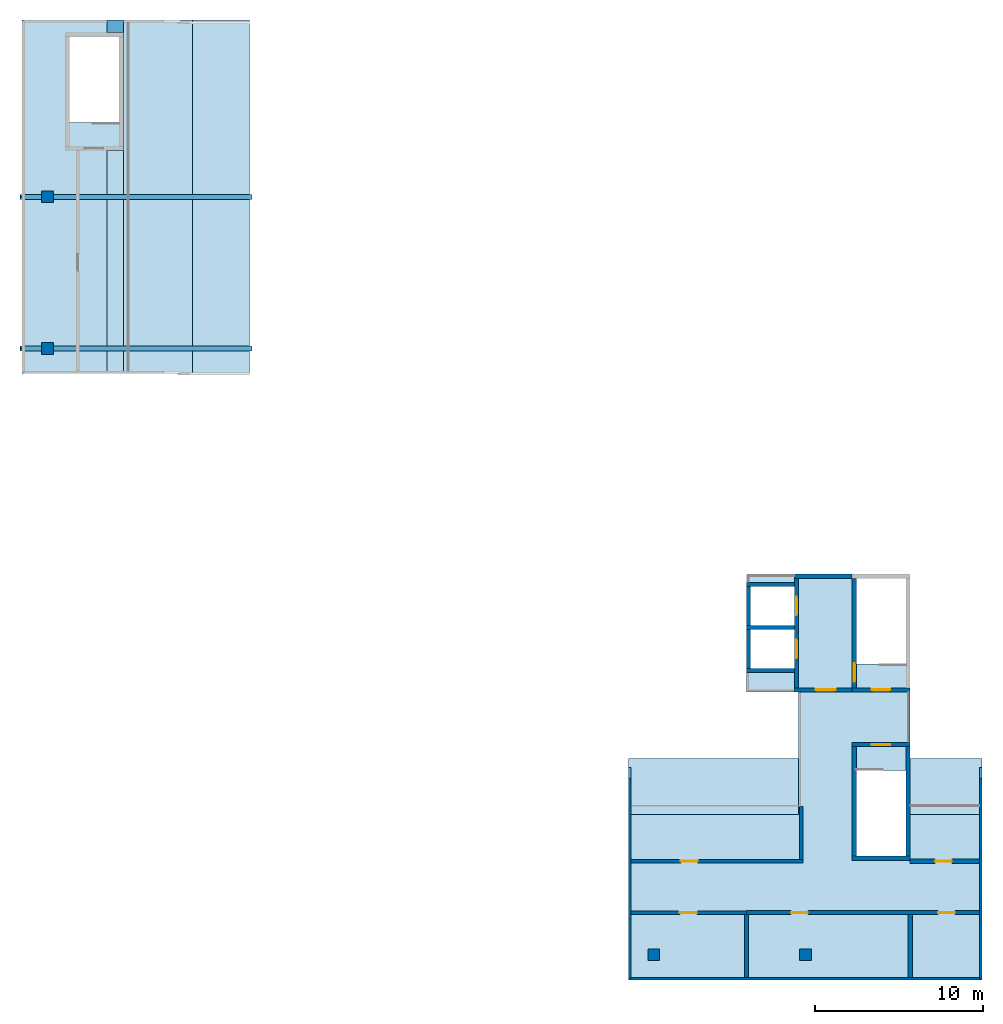
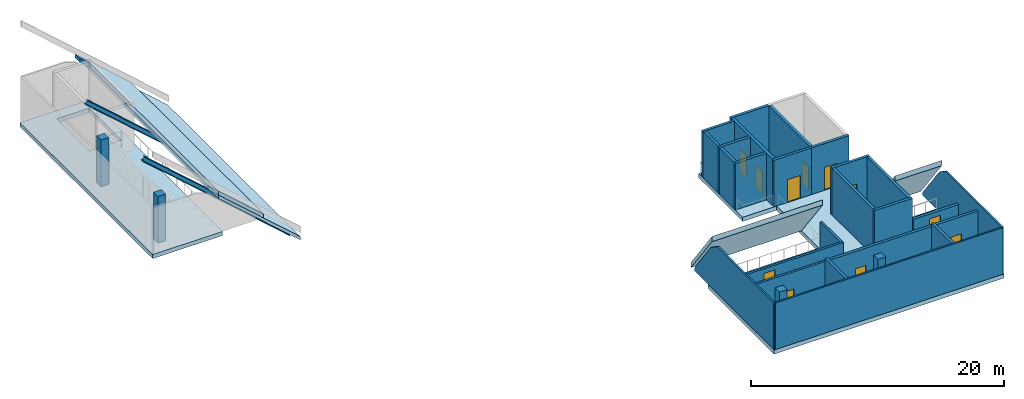
# One storey, part 1 of 3: 24 walls, 11 doors, 8 slabs, 4 columns, 2 beams, 11 openings.
"""IFC4 building model written with IfcOpenShell, lengths in metres."""

from ifc_helpers import new_model, si_unit, direction, frame, frame_2d, origin, origin_2d, place, context, subcontext, project, spatial, polyline, rectangle, i_section, outline, extrude, material, layer, layer_set, material_profile, profile_set, type_object, element, fill, save


model = new_model("IFC4")

# Units and contexts
model_context = context("Model", 3, precision=1e-05, world=origin(), true_north=direction((0.0, 1.0)))
body_context = subcontext(model_context, "Body", "Model", "MODEL_VIEW")
ifc_project = project(units=[si_unit("LENGTHUNIT", "METRE"), si_unit("AREAUNIT", "SQUARE_METRE"), si_unit("VOLUMEUNIT", "CUBIC_METRE"), si_unit("PLANEANGLEUNIT", "RADIAN"), si_unit("MASSUNIT", "GRAM", prefix="KILO")], contexts=[model_context])

# Site, building, storey
site_placement = place(None, origin())
site = spatial("IfcSite", under=ifc_project, at=site_placement, CompositionType="ELEMENT")
building_placement = place(site_placement, origin())
building = spatial("IfcBuilding", under=site, at=building_placement, Name="Chenar Terraces", CompositionType="ELEMENT")
storey_placement = place(building_placement, frame((0.0, 0.0, 393.39990234375)))
storey = spatial("IfcBuildingStorey", under=building, at=storey_placement, Name="L92", CompositionType="ELEMENT", Elevation=393.39990234375)

# Columns
ifc_material_1 = material(Name="Concrete C40/50", Category="concrete")
ifc_material_profile_1 = material_profile(ifc_material_1, rectangle(XDim=0.699951171875, YDim=0.699951171875, at=origin_2d()), Name="C 700 x 700")
ifc_profile_set_1 = profile_set([ifc_material_profile_1], Name="Concrete C40/50")
column_type = type_object("IfcColumnType", Name="Column C 700 x 700 Concrete C40/50", PredefinedType="COLUMN", material=ifc_profile_set_1)
for number, where, z_axis, x_axis, name in (
    (1, (36.0, 0.0, 0.0), (0.0, 0.0, 1.0), (1.0, 0.0, 0.0), "Column 8/E L92"),
    (2, (45.0, 0.0, 0.0), (0.0, 0.0, 1.0), (1.0, 0.0, 0.0), "Column 9/E L92"),
    (3, (0.0, 36.0, 0.0), (0.0, 0.0, 1.0), (1.0, 0.0, 0.0), "Column 5/H L92"),
    (4, (0.0, 45.0, 0.0), (0.0, 0.0, 1.0), (1.0, 0.0, 0.0), "Column 5/J L92"),
):
    element("IfcColumn", number, at=place(storey_placement, frame(where, z_axis=z_axis, x_axis=x_axis)), inside=storey, type_object=column_type, Name=name, PredefinedType="COLUMN", context=body_context, shape_type="SweptSolid", body=[
        extrude(rectangle(XDim=0.699951171875, YDim=0.699951171875, at=origin_2d()), origin(), (0.0, 0.0, 1.0), 4.5),
    ])

# Beams
ifc_material_2 = material(Name="Structural steel S355", Category="steel")
ifc_material_profile_2 = material_profile(ifc_material_2, i_section(OverallWidth=0.300048828125, OverallDepth=0.39990234375, WebThickness=0.013427734375, FlangeThickness=0.02392578125, FilletRadius=0.027099609375, at=origin_2d()), Name="HEB 400")
ifc_profile_set_2 = profile_set([ifc_material_profile_2], Name="Structural steel S355")
beam_type = type_object("IfcBeamType", Name="Peak roof rafter HEB 400 S355", PredefinedType="BEAM", material=ifc_profile_set_2)
for number, where, z_axis, x_axis, name in (
    (5, (12.0, 36.0, -3.597412109375), (-0.7484367174, 0.0, 0.66320621231), (0.0, -1.0, 0.0), "Peak roof rafter B1 part 2"),
    (6, (12.0, 45.0, -3.597412109375), (-0.7484367174, 0.0, 0.66320621231), (0.0, -1.0, 0.0), "Peak roof rafter B2 part 2"),
):
    element("IfcBeam", number, at=place(storey_placement, frame(where, z_axis=z_axis, x_axis=x_axis)), inside=storey, type_object=beam_type, Name=name, PredefinedType="BEAM", context=body_context, shape_type="SweptSolid", body=[
        extrude(i_section(OverallWidth=0.300048828125, OverallDepth=0.39990234375, WebThickness=0.013427734375, FlangeThickness=0.02392578125, FilletRadius=0.027099609375, at=origin_2d()), origin(), (0.0, 0.0, 1.0), 18.03759765625),
    ])

# Slabs
ifc_material_3 = material(Name="Concrete C40/50", Category="concrete")
ifc_layer_1 = layer(ifc_material_3, 0.39990234375)
ifc_layer_set_1 = layer_set([ifc_layer_1], Name="Concrete C40/50")
slab_type_1 = type_object("IfcSlabType", Name="Floor slab 400 Concrete C40/50", PredefinedType="FLOOR", material=ifc_layer_set_1)
placement = place(storey_placement, frame((0.0, 0.0, -0.39990234375)))
element("IfcSlab", 7, at=placement, inside=storey, type_object=slab_type_1, Name="Floor slab L92", PredefinedType="FLOOR", context=body_context, shape_type="SweptSolid", body=[
    extrude(outline(polyline([(34.5, -1.5), (34.5, 8.949951171875), (44.60009765625, 8.949951171875), (44.60009765625, 15.60009765625), (41.5, 15.60009765625), (41.5, 22.60009765625), (47.77490234375, 22.60009765625), (51.22509765625, 22.60009765625), (51.22509765625, 15.60009765625), (51.22509765625, 12.60009765625), (51.22509765625, 8.949951171875), (55.5, 8.949951171875), (55.5, -1.5), (34.5, -1.5)]), holes=[polyline([(50.97509765625, 10.949951171875), (48.02490234375, 10.949951171875), (48.02490234375, 5.85009765625), (50.97509765625, 5.85009765625), (50.97509765625, 10.949951171875)]), polyline([(41.75, 17.0), (44.35009765625, 17.0), (44.35009765625, 19.300048828125), (41.75, 19.300048828125), (41.75, 17.0)]), polyline([(48.02490234375, 17.25), (50.97509765625, 17.25), (50.97509765625, 22.35009765625), (48.02490234375, 22.35009765625), (48.02490234375, 17.25)]), polyline([(41.75, 21.85009765625), (41.75, 19.550048828125), (44.35009765625, 19.550048828125), (44.35009765625, 21.85009765625), (41.75, 21.85009765625)])]), origin(), (0.0, 0.0, 1.0), 0.39990234375),
])
element("IfcSlab", 8, at=placement, inside=storey, type_object=slab_type_1, Name="Floor slab L92 part 2", PredefinedType="FLOOR", context=body_context, shape_type="SweptSolid", body=[
    extrude(outline(polyline([(4.89990234375, 55.5), (4.89990234375, 34.5), (-1.5, 34.5), (-1.5, 55.5), (4.89990234375, 55.5)]), holes=[polyline([(1.300048828125, 54.5), (1.300048828125, 49.39990234375), (4.25, 49.39990234375), (4.25, 54.5), (1.300048828125, 54.5)])]), origin(), (0.0, 0.0, 1.0), 0.39990234375),
])
ifc_material_4 = material(Name="Concrete C40/50", Category="concrete")
ifc_layer_2 = layer(ifc_material_4, 0.25)
ifc_layer_set_2 = layer_set([ifc_layer_2], Name="Concrete C40/50")
slab_type_2 = type_object("IfcSlabType", Name="Roof deck 250 Concrete C40/50", PredefinedType="ROOF", material=ifc_layer_set_2)
slab_3_placement = place(storey_placement, frame((4.5, 34.5, 3.64990234375), z_axis=(0.663210761345, 0.0, 0.748432686376), x_axis=(0.748432686376, 0.0, -0.663210761345)))
element("IfcSlab", 9, at=slab_3_placement, inside=storey, type_object=slab_type_2, Name="Roof deck peak B facet 2", PredefinedType="ROOF", context=body_context, shape_type="SweptSolid", body=[
    extrude(outline(polyline([(0.0, 0.0), (10.020941277052783, 0.0), (10.020941277052783, 21.0), (0.0, 21.0), (0.0, 20.25), (0.0, 13.25), (0.0, 0.0)])), origin(), (0.663210761345, 0.0, -0.748432686376), 0.333984375),
])
ifc_material_5 = material(Name="Terracotta roof tile on insulated deck", Category="masonry")
ifc_layer_3 = layer(ifc_material_5, 0.300048828125)
ifc_layer_set_3 = layer_set([ifc_layer_3], Name="Terracotta roof tile on insulated deck")
slab_type_3 = type_object("IfcSlabType", Name="Terracotta roof tile 300", PredefinedType="ROOF", material=ifc_layer_set_3)
slab_4_placement = place(storey_placement, frame((34.5, 11.6513671875, 0.506103515625), z_axis=(0.0, 0.805316024446, 0.592845764741), x_axis=(1.0, 0.0, 0.0)))
element("IfcSlab", 10, at=slab_4_placement, inside=storey, type_object=slab_type_3, Name="Terracotta roof tile", PredefinedType="ROOF", context=body_context, shape_type="SweptSolid", body=[
    extrude(outline(polyline([(0.0, 0.0), (10.10009765625, 0.0), (10.10009765625, -5.587868443444716), (0.0, -5.587868443444716), (0.0, 0.0)])), origin(), (0.0, 0.805316024446, -0.592845764741), 0.506103515625),
])
slab_5_placement = place(storey_placement, frame((51.22509765625, 11.6513671875, 0.506103515625), z_axis=(0.0, 0.805316024446, 0.592845764741), x_axis=(1.0, 0.0, 0.0)))
element("IfcSlab", 11, at=slab_5_placement, inside=storey, type_object=slab_type_3, Name="Terracotta roof tile", PredefinedType="ROOF", context=body_context, shape_type="SweptSolid", body=[
    extrude(outline(polyline([(0.0, 0.0), (4.27490234375, 0.0), (4.27490234375, -5.587868443444716), (0.0, -5.587868443444716), (0.0, 0.0)])), origin(), (0.0, 0.805316024446, -0.592845764741), 0.506103515625),
])
slab_6_placement = place(storey_placement, frame((8.618896484375, 34.5, 0.40087890625), z_axis=(0.663187235859, 0.0, 0.748453532422), x_axis=(0.0, 1.0, 0.0)))
element("IfcSlab", 12, at=slab_6_placement, inside=storey, type_object=slab_type_3, Name="Terracotta roof tile", PredefinedType="ROOF", context=body_context, shape_type="SweptSolid", body=[
    extrude(outline(polyline([(0.0, 0.0), (21.0, 0.0), (21.0, 5.503209358968123), (20.25, 5.503209358968123), (13.25, 5.503209358968123), (0.0, 5.503209358968123), (0.0, 0.0)])), origin(), (0.0, -0.663187235859, -0.748453532422), 0.40087890625),
])
slab_7_placement = place(storey_placement, frame((4.5, 34.5, 4.050537109375), z_axis=(0.663169369477, 0.0, 0.748469363025), x_axis=(0.0, 1.0, 0.0)))
element("IfcSlab", 13, at=slab_7_placement, inside=storey, type_object=slab_type_3, Name="Terracotta roof tile", PredefinedType="ROOF", context=body_context, shape_type="SweptSolid", body=[
    extrude(outline(polyline([(0.0, 0.0), (13.25, 0.0), (13.25, 1.2822392529152329), (0.0, 1.2822392529152329), (0.0, 0.0)])), origin(), (0.0, -0.663169369477, -0.748469363025), 0.40087890625),
])
slab_8_placement = place(storey_placement, frame((3.540283203125, 55.5, 4.90087890625), z_axis=(0.663169369477, 0.0, 0.748469363025), x_axis=(0.0, -1.0, 0.0)))
element("IfcSlab", 14, at=slab_8_placement, inside=storey, type_object=slab_type_3, Name="Terracotta roof tile", PredefinedType="ROOF", context=body_context, shape_type="SweptSolid", body=[
    extrude(outline(polyline([(0.0, 0.0), (0.75, 0.0), (0.75, 1.2822392529152324), (0.0, 1.2822392529152324), (0.0, 0.0)])), origin(), (0.0, 0.663169369477, -0.748469363025), 0.40087890625),
])

# Wall, opening, door
ifc_material_6 = material(Name="Concrete C40/50", Category="concrete")
ifc_layer_4 = layer(ifc_material_6, 0.25)
ifc_layer_set_4 = layer_set([ifc_layer_4], Name="Concrete C40/50")
wall_type_1 = type_object("IfcWallType", Name="Core wall 250 Concrete C40/50", PredefinedType="SHEAR", material=ifc_layer_set_4)
wall_1_placement = place(storey_placement, frame((47.77490234375, 15.72509765625, 0.0), z_axis=(0.0, 0.0, 1.0), x_axis=(1.0, 0.0, 0.0)))
wall_1 = element("IfcWall", 15, at=wall_1_placement, inside=storey, type_object=wall_type_1, Name="Core wall ST3_S L92", PredefinedType="SHEAR", context=body_context, shape_type="SweptSolid", body=[
    extrude(rectangle(XDim=3.4501953125, YDim=0.25, at=frame_2d((1.72509765625, 0.0))), origin(), (0.0, 0.0, 1.0), 4.5),
])
opening_1_placement = place(wall_1_placement, frame((1.175048828125, 0.0, 0.0)))
opening_1 = element("IfcOpeningElement", 16, at=opening_1_placement, cuts=wall_1, Name="Opening DL92-C1", PredefinedType="OPENING", context=body_context, shape_type="SweptSolid", body=[
    extrude(rectangle(XDim=1.10009765625, YDim=2.199951171875, at=frame_2d((0.550048828125, 1.10009765625))), frame((0.0, 0.135009765625, 0.0), z_axis=(0.0, -1.0, 0.0), x_axis=(1.0, 0.0, 0.0)), (0.0, 0.0, 1.0), 0.27001953125),
])
ifc_material_7 = material(Name="Steel-framed fire-resisting door leaf", Category="steel")
door_type_1 = type_object("IfcDoorType", Name="Stair fire door FD60 1100 x 2200", OperationType="SINGLE_SWING_LEFT", PredefinedType="DOOR", material=ifc_material_7)
door_1_placement = place(opening_1_placement, origin())
door_1 = element("IfcDoor", 17, at=door_1_placement, inside=storey, type_object=door_type_1, Name="Stair door DL92-C1", OperationType="SINGLE_SWING_RIGHT", OverallHeight=2.199951171875, OverallWidth=1.10009765625, PredefinedType="DOOR", context=body_context, shape_type="SweptSolid", body=[
    extrude(rectangle(XDim=1.10009765625, YDim=2.199951171875, at=frame_2d((0.550048828125, 1.10009765625))), frame((0.0, 0.02490234375, 0.0), z_axis=(0.0, -1.0, 0.0), x_axis=(1.0, 0.0, 0.0)), (0.0, 0.0, 1.0), 0.050048828125),
])
fill(opening_1, door_1)

wall_2_placement = place(storey_placement, frame((47.89990234375, 15.85009765625, 0.0), z_axis=(0.0, 0.0, 1.0), x_axis=(0.0, 1.0, 0.0)))
wall_2 = element("IfcWall", 18, at=wall_2_placement, inside=storey, type_object=wall_type_1, Name="Core wall ST3_W L92", PredefinedType="SHEAR", context=body_context, shape_type="SweptSolid", body=[
    extrude(rectangle(XDim=6.5, YDim=0.25, at=frame_2d((3.25, 0.0))), origin(), (0.0, 0.0, 1.0), 4.5),
])
opening_2_placement = place(wall_2_placement, frame((0.35009765625, 0.0, 0.0)))
opening_2 = element("IfcOpeningElement", 19, at=opening_2_placement, cuts=wall_2, Name="Opening DL92-C5", PredefinedType="OPENING", context=body_context, shape_type="SweptSolid", body=[
    extrude(rectangle(XDim=1.10009765625, YDim=2.199951171875, at=frame_2d((0.550048828125, 1.10009765625))), frame((0.0, 0.135009765625, 0.0), z_axis=(0.0, -1.0, 0.0), x_axis=(1.0, 0.0, 0.0)), (0.0, 0.0, 1.0), 0.27001953125),
])
door_2_placement = place(opening_2_placement, origin())
door_2 = element("IfcDoor", 20, at=door_2_placement, inside=storey, type_object=door_type_1, Name="Stair door DL92-C5", OperationType="SINGLE_SWING_LEFT", OverallHeight=2.199951171875, OverallWidth=1.10009765625, PredefinedType="DOOR", context=body_context, shape_type="SweptSolid", body=[
    extrude(rectangle(XDim=1.10009765625, YDim=2.199951171875, at=frame_2d((0.550048828125, 1.10009765625))), frame((0.0, 0.02490234375, 0.0), z_axis=(0.0, -1.0, 0.0), x_axis=(1.0, 0.0, 0.0)), (0.0, 0.0, 1.0), 0.050048828125),
])
fill(opening_2, door_2)

# Wall
wall_3_placement = place(storey_placement, frame((47.77490234375, 5.72509765625, 0.0), z_axis=(0.0, 0.0, 1.0), x_axis=(1.0, 0.0, 0.0)))
element("IfcWall", 21, at=wall_3_placement, inside=storey, type_object=wall_type_1, Name="Core wall ST5_S L92", PredefinedType="SHEAR", context=body_context, shape_type="SweptSolid", body=[
    extrude(rectangle(XDim=3.4501953125, YDim=0.25, at=frame_2d((1.72509765625, 0.0))), origin(), (0.0, 0.0, 1.0), 4.5),
])

# Wall, opening, door
wall_4_placement = place(storey_placement, frame((47.77490234375, 12.47509765625, 0.0), z_axis=(0.0, 0.0, 1.0), x_axis=(1.0, 0.0, 0.0)))
wall_4 = element("IfcWall", 22, at=wall_4_placement, inside=storey, type_object=wall_type_1, Name="Core wall ST5_N L92", PredefinedType="SHEAR", context=body_context, shape_type="SweptSolid", body=[
    extrude(rectangle(XDim=3.4501953125, YDim=0.25, at=frame_2d((1.72509765625, 0.0))), origin(), (0.0, 0.0, 1.0), 4.5),
])
opening_3_placement = place(wall_4_placement, frame((1.175048828125, 0.0, 0.0)))
opening_3 = element("IfcOpeningElement", 23, at=opening_3_placement, cuts=wall_4, Name="Opening DL92-C2", PredefinedType="OPENING", context=body_context, shape_type="SweptSolid", body=[
    extrude(rectangle(XDim=1.10009765625, YDim=2.199951171875, at=frame_2d((0.550048828125, 1.10009765625))), frame((0.0, 0.135009765625, 0.0), z_axis=(0.0, -1.0, 0.0), x_axis=(1.0, 0.0, 0.0)), (0.0, 0.0, 1.0), 0.27001953125),
])
door_3_placement = place(opening_3_placement, frame((1.10009765625, 0.0, 0.0), z_axis=(0.0, 0.0, 1.0), x_axis=(-1.0, 0.0, 0.0)))
door_3 = element("IfcDoor", 24, at=door_3_placement, inside=storey, type_object=door_type_1, Name="Stair door DL92-C2", OperationType="SINGLE_SWING_LEFT", OverallHeight=2.199951171875, OverallWidth=1.10009765625, PredefinedType="DOOR", context=body_context, shape_type="SweptSolid", body=[
    extrude(rectangle(XDim=1.10009765625, YDim=2.199951171875, at=frame_2d((0.550048828125, 1.10009765625))), frame((0.0, 0.02490234375, 0.0), z_axis=(0.0, -1.0, 0.0), x_axis=(1.0, 0.0, 0.0)), (0.0, 0.0, 1.0), 0.050048828125),
])
fill(opening_3, door_3)

# Walls
for number, where, z_axis, x_axis, name in (
    (25, (47.89990234375, 5.85009765625, 0.0), (0.0, 0.0, 1.0), (0.0, 1.0, 0.0), "Core wall ST5_W L92"),
    (26, (51.10009765625, 5.85009765625, 0.0), (0.0, 0.0, 1.0), (0.0, 1.0, 0.0), "Core wall ST5_E L92"),
):
    element("IfcWall", number, at=place(storey_placement, frame(where, z_axis=z_axis, x_axis=x_axis)), inside=storey, type_object=wall_type_1, Name=name, PredefinedType="SHEAR", context=body_context, shape_type="SweptSolid", body=[
        extrude(rectangle(XDim=6.5, YDim=0.25, at=frame_2d((3.25, 0.0))), origin(), (0.0, 0.0, 1.0), 4.5),
    ])

# Wall, opening, door
wall_5_placement = place(storey_placement, frame((44.35009765625, 15.72509765625, 0.0), z_axis=(0.0, 0.0, 1.0), x_axis=(1.0, 0.0, 0.0)))
wall_5 = element("IfcWall", 27, at=wall_5_placement, inside=storey, type_object=wall_type_1, Name="Core wall F3_LS L92", PredefinedType="SHEAR", context=body_context, shape_type="SweptSolid", body=[
    extrude(rectangle(XDim=3.4248046875, YDim=0.25, at=frame_2d((1.71240234375, 0.0))), origin(), (0.0, 0.0, 1.0), 4.5),
])
opening_4_placement = place(wall_5_placement, frame((1.25, 0.0, 0.0)))
opening_4 = element("IfcOpeningElement", 28, at=opening_4_placement, cuts=wall_5, Name="Opening DL92-C4", PredefinedType="OPENING", context=body_context, shape_type="SweptSolid", body=[
    extrude(rectangle(XDim=1.199951171875, YDim=2.199951171875, at=frame_2d((0.60009765625, 1.10009765625))), frame((0.0, 0.135009765625, 0.0), z_axis=(0.0, -1.0, 0.0), x_axis=(1.0, 0.0, 0.0)), (0.0, 0.0, 1.0), 0.27001953125),
])
ifc_material_8 = material(Name="Steel-framed fire-resisting door leaf", Category="steel")
door_type_2 = type_object("IfcDoorType", Name="Lobby fire door FD60 1200 x 2200", OperationType="SINGLE_SWING_LEFT", PredefinedType="DOOR", material=ifc_material_8)
door_4_placement = place(opening_4_placement, origin())
door_4 = element("IfcDoor", 29, at=door_4_placement, inside=storey, type_object=door_type_2, Name="Core door DL92-C4", OperationType="SINGLE_SWING_RIGHT", OverallHeight=2.199951171875, OverallWidth=1.199951171875, PredefinedType="DOOR", context=body_context, shape_type="SweptSolid", body=[
    extrude(rectangle(XDim=1.199951171875, YDim=2.199951171875, at=frame_2d((0.60009765625, 1.10009765625))), frame((0.0, 0.02490234375, 0.0), z_axis=(0.0, -1.0, 0.0), x_axis=(1.0, 0.0, 0.0)), (0.0, 0.0, 1.0), 0.050048828125),
])
fill(opening_4, door_4)

# Wall
wall_6_placement = place(storey_placement, frame((44.35009765625, 22.47509765625, 0.0), z_axis=(0.0, 0.0, 1.0), x_axis=(1.0, 0.0, 0.0)))
element("IfcWall", 30, at=wall_6_placement, inside=storey, type_object=wall_type_1, Name="Core wall F3_LN L92", PredefinedType="SHEAR", context=body_context, shape_type="SweptSolid", body=[
    extrude(rectangle(XDim=3.4248046875, YDim=0.25, at=frame_2d((1.71240234375, 0.0))), origin(), (0.0, 0.0, 1.0), 4.5),
])

# Wall, openings, doors
wall_7_placement = place(storey_placement, frame((44.47509765625, 15.85009765625, 0.0), z_axis=(0.0, 0.0, 1.0), x_axis=(0.0, 1.0, 0.0)))
wall_7 = element("IfcWall", 31, at=wall_7_placement, inside=storey, type_object=wall_type_1, Name="Core wall F3_LW L92", PredefinedType="SHEAR", context=body_context, shape_type="SweptSolid", body=[
    extrude(rectangle(XDim=6.5, YDim=0.25, at=frame_2d((3.25, 0.0))), origin(), (0.0, 0.0, 1.0), 4.5),
])
opening_5_placement = place(wall_7_placement, frame((1.75, 0.0, 0.0)))
opening_5 = element("IfcOpeningElement", 32, at=opening_5_placement, cuts=wall_7, Name="Opening DL92-LD1", PredefinedType="OPENING", context=body_context, shape_type="SweptSolid", body=[
    extrude(rectangle(XDim=1.10009765625, YDim=2.199951171875, at=frame_2d((0.550048828125, 1.10009765625))), frame((0.0, 0.135009765625, 0.0), z_axis=(0.0, -1.0, 0.0), x_axis=(1.0, 0.0, 0.0)), (0.0, 0.0, 1.0), 0.27001953125),
])
opening_6_placement = place(wall_7_placement, frame((4.300048828125, 0.0, 0.0)))
opening_6 = element("IfcOpeningElement", 33, at=opening_6_placement, cuts=wall_7, Name="Opening DL92-LD2", PredefinedType="OPENING", context=body_context, shape_type="SweptSolid", body=[
    extrude(rectangle(XDim=1.10009765625, YDim=2.199951171875, at=frame_2d((0.550048828125, 1.10009765625))), frame((0.0, 0.135009765625, 0.0), z_axis=(0.0, -1.0, 0.0), x_axis=(1.0, 0.0, 0.0)), (0.0, 0.0, 1.0), 0.27001953125),
])
ifc_material_9 = material(Name="Stainless steel", Category="steel")
door_type_3 = type_object("IfcDoorType", Name="Lift landing door 1100 x 2200 sliding", OperationType="DOUBLE_DOOR_SLIDING", PredefinedType="DOOR", material=ifc_material_9)
door_5_placement = place(opening_5_placement, origin())
door_5 = element("IfcDoor", 34, at=door_5_placement, inside=storey, type_object=door_type_3, Name="Landing door F3", OperationType="DOUBLE_DOOR_SLIDING", OverallHeight=2.199951171875, OverallWidth=1.10009765625, PredefinedType="DOOR", context=body_context, shape_type="SweptSolid", body=[
    extrude(rectangle(XDim=1.10009765625, YDim=2.199951171875, at=frame_2d((0.550048828125, 1.10009765625))), frame((0.0, 0.02490234375, 0.0), z_axis=(0.0, -1.0, 0.0), x_axis=(1.0, 0.0, 0.0)), (0.0, 0.0, 1.0), 0.050048828125),
])
fill(opening_5, door_5)
door_6_placement = place(opening_6_placement, origin())
door_6 = element("IfcDoor", 35, at=door_6_placement, inside=storey, type_object=door_type_3, Name="Landing door F4", OperationType="DOUBLE_DOOR_SLIDING", OverallHeight=2.199951171875, OverallWidth=1.10009765625, PredefinedType="DOOR", context=body_context, shape_type="SweptSolid", body=[
    extrude(rectangle(XDim=1.10009765625, YDim=2.199951171875, at=frame_2d((0.550048828125, 1.10009765625))), frame((0.0, 0.02490234375, 0.0), z_axis=(0.0, -1.0, 0.0), x_axis=(1.0, 0.0, 0.0)), (0.0, 0.0, 1.0), 0.050048828125),
])
fill(opening_6, door_6)

# Walls
for number, where, z_axis, x_axis, name in (
    (36, (41.5, 16.875, 0.0), (0.0, 0.0, 1.0), (1.0, 0.0, 0.0), "Core wall F3_SS L92"),
    (37, (41.5, 19.425048828125, 0.0), (0.0, 0.0, 1.0), (1.0, 0.0, 0.0), "Core wall F3_SM L92"),
    (38, (41.5, 21.97509765625, 0.0), (0.0, 0.0, 1.0), (1.0, 0.0, 0.0), "Core wall F4_SN L92"),
):
    element("IfcWall", number, at=place(storey_placement, frame(where, z_axis=z_axis, x_axis=x_axis)), inside=storey, type_object=wall_type_1, Name=name, PredefinedType="SHEAR", context=body_context, shape_type="SweptSolid", body=[
        extrude(rectangle(XDim=2.85009765625, YDim=0.25, at=frame_2d((1.425048828125, 0.0))), origin(), (0.0, 0.0, 1.0), 4.5),
    ])
for number, where, z_axis, x_axis, name in (
    (39, (41.625, 17.0, 0.0), (0.0, 0.0, 1.0), (0.0, 1.0, 0.0), "Core wall F3_SW L92"),
    (40, (41.625, 19.550048828125, 0.0), (0.0, 0.0, 1.0), (0.0, 1.0, 0.0), "Core wall F4_SW L92"),
):
    element("IfcWall", number, at=place(storey_placement, frame(where, z_axis=z_axis, x_axis=x_axis)), inside=storey, type_object=wall_type_1, Name=name, PredefinedType="SHEAR", context=body_context, shape_type="SweptSolid", body=[
        extrude(rectangle(XDim=2.300048828125, YDim=0.25, at=frame_2d((1.14990234375, 0.0))), origin(), (0.0, 0.0, 1.0), 4.5),
    ])

# Wall, opening, door
ifc_material_10 = material(Name="Gypsum board on steel studs with fire boards", Category="steel")
ifc_layer_5 = layer(ifc_material_10, 0.199951171875)
ifc_layer_set_5 = layer_set([ifc_layer_5], Name="Gypsum board on steel studs with fire boards")
wall_type_2 = type_object("IfcWallType", Name="Corridor wall 200", PredefinedType="PARTITIONING", material=ifc_layer_set_5)
wall_8_placement = place(storey_placement, frame((34.64990234375, 2.5, 0.0), z_axis=(0.0, 0.0, 1.0), x_axis=(1.0, 0.0, 0.0)))
wall_8 = element("IfcWall", 41, at=wall_8_placement, inside=storey, type_object=wall_type_2, Name="Partition L92-002", PredefinedType="PARTITIONING", context=body_context, shape_type="SweptSolid", body=[
    extrude(rectangle(XDim=6.85009765625, YDim=0.199951171875, at=frame_2d((3.425048828125, 0.0))), origin(), (0.0, 0.0, 1.0), 3.781005859375),
])
opening_7_placement = place(wall_8_placement, frame((2.89990234375, 0.0, 0.0)))
opening_7 = element("IfcOpeningElement", 42, at=opening_7_placement, cuts=wall_8, Name="Opening DL92-2", PredefinedType="OPENING", context=body_context, shape_type="SweptSolid", body=[
    extrude(rectangle(XDim=1.0, YDim=2.10009765625, at=frame_2d((0.5, 1.050048828125))), frame((0.0, 0.10986328125, 0.0), z_axis=(0.0, -1.0, 0.0), x_axis=(1.0, 0.0, 0.0)), (0.0, 0.0, 1.0), 0.219970703125),
])
ifc_material_11 = material(Name="Steel-framed fire-resisting door leaf", Category="steel")
door_type_4 = type_object("IfcDoorType", Name="Fire door FD60 1000 x 2100", OperationType="SINGLE_SWING_LEFT", PredefinedType="DOOR", material=ifc_material_11)
door_7_placement = place(opening_7_placement, frame((1.0, 0.0, 0.0), z_axis=(0.0, 0.0, 1.0), x_axis=(-1.0, 0.0, 0.0)))
door_7 = element("IfcDoor", 43, at=door_7_placement, inside=storey, type_object=door_type_4, Name="Door DL92-2", OperationType="SINGLE_SWING_RIGHT", OverallHeight=2.10009765625, OverallWidth=1.0, PredefinedType="DOOR", context=body_context, shape_type="SweptSolid", body=[
    extrude(rectangle(XDim=1.0, YDim=2.10009765625, at=frame_2d((0.5, 1.050048828125))), frame((0.0, 0.02490234375, 0.0), z_axis=(0.0, -1.0, 0.0), x_axis=(1.0, 0.0, 0.0)), (0.0, 0.0, 1.0), 0.050048828125),
])
fill(opening_7, door_7)

wall_9_placement = place(storey_placement, frame((34.64990234375, 5.550048828125, 0.0), z_axis=(0.0, 0.0, 1.0), x_axis=(1.0, 0.0, 0.0)))
wall_9 = element("IfcWall", 44, at=wall_9_placement, inside=storey, type_object=wall_type_2, Name="Partition L92-003", PredefinedType="PARTITIONING", context=body_context, shape_type="SweptSolid", body=[
    extrude(rectangle(XDim=10.2001953125, YDim=0.199951171875, at=frame_2d((5.10009765625, 0.0))), origin(), (0.0, 0.0, 1.0), 2.55810546875),
])
opening_8_placement = place(wall_9_placement, frame((2.949951171875, 0.0, 0.0)))
opening_8 = element("IfcOpeningElement", 45, at=opening_8_placement, cuts=wall_9, Name="Opening DL92-5", PredefinedType="OPENING", context=body_context, shape_type="SweptSolid", body=[
    extrude(rectangle(XDim=1.0, YDim=2.10009765625, at=frame_2d((0.5, 1.050048828125))), frame((0.0, 0.10986328125, 0.0), z_axis=(0.0, -1.0, 0.0), x_axis=(1.0, 0.0, 0.0)), (0.0, 0.0, 1.0), 0.219970703125),
])
door_8_placement = place(opening_8_placement, origin())
door_8 = element("IfcDoor", 46, at=door_8_placement, inside=storey, type_object=door_type_4, Name="Door DL92-5", OperationType="SINGLE_SWING_RIGHT", OverallHeight=2.10009765625, OverallWidth=1.0, PredefinedType="DOOR", context=body_context, shape_type="SweptSolid", body=[
    extrude(rectangle(XDim=1.0, YDim=2.10009765625, at=frame_2d((0.5, 1.050048828125))), frame((0.0, 0.02490234375, 0.0), z_axis=(0.0, -1.0, 0.0), x_axis=(1.0, 0.0, 0.0)), (0.0, 0.0, 1.0), 0.050048828125),
])
fill(opening_8, door_8)

# Walls
wall_10_placement = place(storey_placement, frame((44.75, 5.64990234375, 0.0), z_axis=(0.0, 0.0, 1.0), x_axis=(0.0, 1.0, 0.0)))
element("IfcWall", 47, at=wall_10_placement, inside=storey, type_object=wall_type_2, Name="Partition L92-006", PredefinedType="PARTITIONING", context=body_context, shape_type="SweptSolid", body=[
    extrude(rectangle(XDim=3.150146484375, YDim=0.199951171875, at=frame_2d((1.5751953125, 0.0))), origin(), (0.0, 0.0, 1.0), 2.55810546875),
])
ifc_material_12 = material(Name="Terracotta cladding on insulated backing", Category="masonry")
ifc_layer_6 = layer(ifc_material_12, 0.14990234375)
ifc_layer_set_6 = layer_set([ifc_layer_6], Name="Terracotta cladding on insulated backing")
wall_type_3 = type_object("IfcWallType", Name="Crown terracotta wall 150", PredefinedType="SOLIDWALL", material=ifc_layer_set_6)
wall_11_placement = place(storey_placement, frame((55.425048828125, -1.39990234375, 0.0), z_axis=(0.0, 0.0, 1.0), x_axis=(0.0, 1.0, 0.0)))
element("IfcWall", 48, at=wall_11_placement, inside=storey, type_object=wall_type_3, Name="Crown terracotta wall", PredefinedType="SOLIDWALL", context=body_context, shape_type="SweptSolid", body=[
    extrude(outline(polyline([(0.0, 0.0), (12.52001953125, 0.0), (12.52001953125, 0.300048828125), (9.92578125, 3.82421875), (8.933349609375, 4.5), (0.0, 4.5), (0.0, 0.0)])), frame((0.0, 0.074951171875, 0.0), z_axis=(0.0, -1.0, 0.0), x_axis=(1.0, 0.0, 0.0)), (0.0, 0.0, 1.0), 0.14990234375),
])
wall_12_placement = place(storey_placement, frame((34.574951171875, 11.1201171875, 0.0), z_axis=(0.0, 0.0, 1.0), x_axis=(0.0, -1.0, 0.0)))
element("IfcWall", 49, at=wall_12_placement, inside=storey, type_object=wall_type_3, Name="Crown terracotta wall", PredefinedType="SOLIDWALL", context=body_context, shape_type="SweptSolid", body=[
    extrude(outline(polyline([(0.0, 0.0), (12.52001953125, 0.0), (12.52001953125, 4.5), (3.5869140625, 4.5), (2.59423828125, 3.82421875), (1.6015625, 2.47607421875), (0.60888671875, 1.127197265625), (0.0, 0.300048828125), (0.0, 0.0)])), frame((0.0, 0.074951171875, 0.0), z_axis=(0.0, -1.0, 0.0), x_axis=(1.0, 0.0, 0.0)), (0.0, 0.0, 1.0), 0.14990234375),
])
wall_13_placement = place(storey_placement, frame((34.60009765625, -1.425048828125, 0.0), z_axis=(0.0, 0.0, 1.0), x_axis=(1.0, 0.0, 0.0)))
element("IfcWall", 50, at=wall_13_placement, inside=storey, type_object=wall_type_3, Name="Crown terracotta wall", PredefinedType="SOLIDWALL", context=body_context, shape_type="SweptSolid", body=[
    extrude(rectangle(XDim=20.7998046875, YDim=0.14990234375, at=frame_2d((10.39990234375, 0.0))), origin(), (0.0, 0.0, 1.0), 4.5),
])
ifc_material_13 = material(Name="Fire-board and steel stud wall with mineral wool", Category="steel")
ifc_layer_7 = layer(ifc_material_13, 0.25)
ifc_layer_set_7 = layer_set([ifc_layer_7], Name="Fire-board and steel stud wall with mineral wool")
wall_type_4 = type_object("IfcWallType", Name="Plant room wall 250", PredefinedType="PARTITIONING", material=ifc_layer_set_7)
wall_14_placement = place(storey_placement, frame((41.5, -1.35009765625, 0.0), z_axis=(0.0, 0.0, 1.0), x_axis=(0.0, 1.0, 0.0)))
element("IfcWall", 51, at=wall_14_placement, inside=storey, type_object=wall_type_4, Name="Partition L92-004", PredefinedType="PARTITIONING", context=body_context, shape_type="SweptSolid", body=[
    extrude(rectangle(XDim=3.72509765625, YDim=0.25, at=frame_2d((1.862548828125, 0.0))), origin(), (0.0, 0.0, 1.0), 4.10009765625),
])

# Wall, openings, doors
wall_15_placement = place(storey_placement, frame((41.5, 2.5, 0.0), z_axis=(0.0, 0.0, 1.0), x_axis=(1.0, 0.0, 0.0)))
wall_15 = element("IfcWall", 52, at=wall_15_placement, inside=storey, type_object=wall_type_4, Name="Partition L92-005", PredefinedType="PARTITIONING", context=body_context, shape_type="SweptSolid", body=[
    extrude(rectangle(XDim=13.85009765625, YDim=0.25, at=frame_2d((6.925048828125, 0.0))), origin(), (0.0, 0.0, 1.0), 3.781005859375),
])
opening_9_placement = place(wall_15_placement, frame((2.64990234375, 0.0, 0.0)))
opening_9 = element("IfcOpeningElement", 53, at=opening_9_placement, cuts=wall_15, Name="Opening DL92-3", PredefinedType="OPENING", context=body_context, shape_type="SweptSolid", body=[
    extrude(rectangle(XDim=1.0, YDim=2.10009765625, at=frame_2d((0.5, 1.050048828125))), frame((0.0, 0.135009765625, 0.0), z_axis=(0.0, -1.0, 0.0), x_axis=(1.0, 0.0, 0.0)), (0.0, 0.0, 1.0), 0.27001953125),
])
opening_10_placement = place(wall_15_placement, frame((11.375, 0.0, 0.0)))
opening_10 = element("IfcOpeningElement", 54, at=opening_10_placement, cuts=wall_15, Name="Opening DL92-4", PredefinedType="OPENING", context=body_context, shape_type="SweptSolid", body=[
    extrude(rectangle(XDim=1.0, YDim=2.10009765625, at=frame_2d((0.5, 1.050048828125))), frame((0.0, 0.135009765625, 0.0), z_axis=(0.0, -1.0, 0.0), x_axis=(1.0, 0.0, 0.0)), (0.0, 0.0, 1.0), 0.27001953125),
])
ifc_material_14 = material(Name="Steel-framed fire-resisting door leaf", Category="steel")
door_type_5 = type_object("IfcDoorType", Name="Fire door FD120 1000 x 2100", OperationType="SINGLE_SWING_LEFT", PredefinedType="DOOR", material=ifc_material_14)
door_9_placement = place(opening_9_placement, frame((1.0, 0.0, 0.0), z_axis=(0.0, 0.0, 1.0), x_axis=(-1.0, 0.0, 0.0)))
door_9 = element("IfcDoor", 55, at=door_9_placement, inside=storey, type_object=door_type_5, Name="Door DL92-3", OperationType="SINGLE_SWING_LEFT", OverallHeight=2.10009765625, OverallWidth=1.0, PredefinedType="DOOR", context=body_context, shape_type="SweptSolid", body=[
    extrude(rectangle(XDim=1.0, YDim=2.10009765625, at=frame_2d((0.5, 1.050048828125))), frame((0.0, 0.02490234375, 0.0), z_axis=(0.0, -1.0, 0.0), x_axis=(1.0, 0.0, 0.0)), (0.0, 0.0, 1.0), 0.050048828125),
])
fill(opening_9, door_9)
door_10_placement = place(opening_10_placement, frame((1.0, 0.0, 0.0), z_axis=(0.0, 0.0, 1.0), x_axis=(-1.0, 0.0, 0.0)))
door_10 = element("IfcDoor", 56, at=door_10_placement, inside=storey, type_object=door_type_5, Name="Door DL92-4", OperationType="SINGLE_SWING_LEFT", OverallHeight=2.10009765625, OverallWidth=1.0, PredefinedType="DOOR", context=body_context, shape_type="SweptSolid", body=[
    extrude(rectangle(XDim=1.0, YDim=2.10009765625, at=frame_2d((0.5, 1.050048828125))), frame((0.0, 0.02490234375, 0.0), z_axis=(0.0, -1.0, 0.0), x_axis=(1.0, 0.0, 0.0)), (0.0, 0.0, 1.0), 0.050048828125),
])
fill(opening_10, door_10)

# Wall
wall_16_placement = place(storey_placement, frame((51.22509765625, -1.35009765625, 0.0), z_axis=(0.0, 0.0, 1.0), x_axis=(0.0, 1.0, 0.0)))
element("IfcWall", 57, at=wall_16_placement, inside=storey, type_object=wall_type_4, Name="Partition L92-007", PredefinedType="PARTITIONING", context=body_context, shape_type="SweptSolid", body=[
    extrude(rectangle(XDim=3.72509765625, YDim=0.25, at=frame_2d((1.862548828125, 0.0))), origin(), (0.0, 0.0, 1.0), 4.10009765625),
])

# Wall, opening, door
wall_17_placement = place(storey_placement, frame((51.22509765625, 5.550048828125, 0.0), z_axis=(0.0, 0.0, 1.0), x_axis=(1.0, 0.0, 0.0)))
wall_17 = element("IfcWall", 58, at=wall_17_placement, inside=storey, type_object=wall_type_4, Name="Partition L92-008", PredefinedType="PARTITIONING", context=body_context, shape_type="SweptSolid", body=[
    extrude(rectangle(XDim=4.125, YDim=0.25, at=frame_2d((2.0625, 0.0))), origin(), (0.0, 0.0, 1.0), 2.55810546875),
])
opening_11_placement = place(wall_17_placement, frame((1.47509765625, 0.0, 0.0)))
opening_11 = element("IfcOpeningElement", 59, at=opening_11_placement, cuts=wall_17, Name="Opening DL92-1", PredefinedType="OPENING", context=body_context, shape_type="SweptSolid", body=[
    extrude(rectangle(XDim=1.0, YDim=2.10009765625, at=frame_2d((0.5, 1.050048828125))), frame((0.0, 0.135009765625, 0.0), z_axis=(0.0, -1.0, 0.0), x_axis=(1.0, 0.0, 0.0)), (0.0, 0.0, 1.0), 0.27001953125),
])
door_11_placement = place(opening_11_placement, origin())
door_11 = element("IfcDoor", 60, at=door_11_placement, inside=storey, type_object=door_type_5, Name="Door DL92-1", OperationType="SINGLE_SWING_LEFT", OverallHeight=2.10009765625, OverallWidth=1.0, PredefinedType="DOOR", context=body_context, shape_type="SweptSolid", body=[
    extrude(rectangle(XDim=1.0, YDim=2.10009765625, at=frame_2d((0.5, 1.050048828125))), frame((0.0, 0.02490234375, 0.0), z_axis=(0.0, -1.0, 0.0), x_axis=(1.0, 0.0, 0.0)), (0.0, 0.0, 1.0), 0.050048828125),
])
fill(opening_11, door_11)

save(model, "model.ifc")
